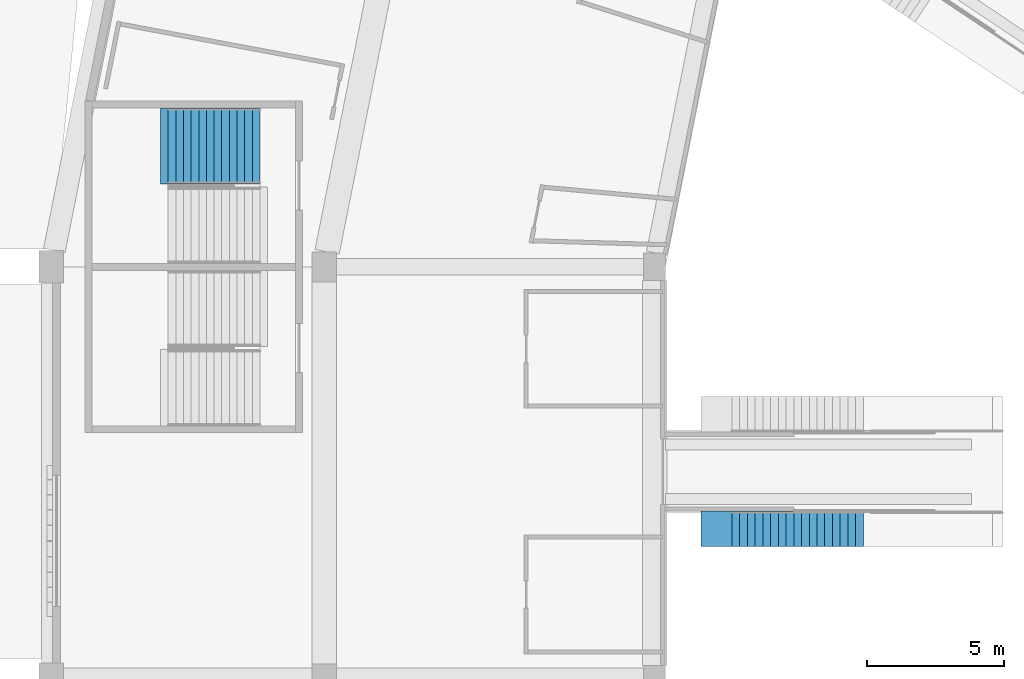
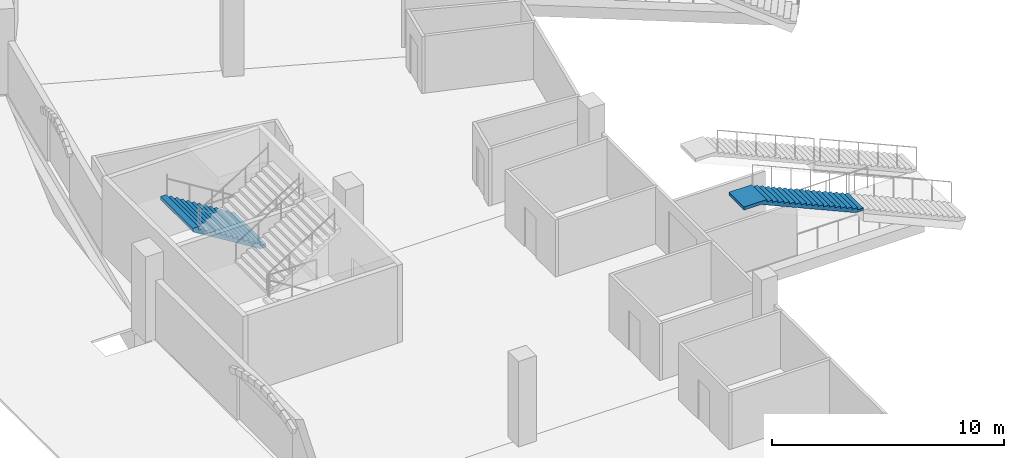
# One storey, part 112 of 175: 2 stair flights, 2 elements without a shape of their own.
"""IFC4 building model written with IfcOpenShell, lengths in metres."""

from ifc_helpers import new_model, si_unit, direction, frame, origin, place, context, subcontext, project, spatial, faceted_brep, material, type_object, element, aggregate, save


model = new_model("IFC4")

# Units and contexts
model_context = context("Model", 3, precision=1e-05, world=origin(), true_north=direction((0.0, 1.0)))
body_context = subcontext(model_context, "Body", "Model", "MODEL_VIEW")
ifc_project = project(units=[si_unit("LENGTHUNIT", "METRE"), si_unit("AREAUNIT", "SQUARE_METRE"), si_unit("VOLUMEUNIT", "CUBIC_METRE"), si_unit("PLANEANGLEUNIT", "RADIAN"), si_unit("MASSUNIT", "GRAM", prefix="KILO")], contexts=[model_context])

# Site, building, storey
site_placement = place(None, origin())
site = spatial("IfcSite", under=ifc_project, at=site_placement, CompositionType="ELEMENT")
building_placement = place(site_placement, origin())
building = spatial("IfcBuilding", under=site, at=building_placement, Name="Ogive Plaza Stadium", CompositionType="ELEMENT")
storey_placement = place(building_placement, origin())
storey = spatial("IfcBuildingStorey", under=building, at=storey_placement, Name="L00", CompositionType="ELEMENT", Elevation=0.0)

# Stair, stair flight
ifc_material_1 = material(Name="Concrete C40/50", Category="concrete")
stair_type_1 = type_object("IfcStairType", Name="Aisle stair", PredefinedType="STRAIGHT_RUN_STAIR", material=ifc_material_1)
stair_1_placement = place(storey_placement, origin())
stair_1 = element("IfcStair", 1, at=stair_1_placement, inside=storey, type_object=stair_type_1, Name="Aisle stair SA27R", PredefinedType="STRAIGHT_RUN_STAIR")
ifc_material_2 = material(Name="Concrete C40/50", Category="concrete")
stair_flight_type_1 = type_object("IfcStairFlightType", Name="Aisle stair flight", PredefinedType="STRAIGHT", material=ifc_material_2)
stair_flight_1_placement = place(storey_placement, frame((-54.25, 42.89990234375, 2.25), z_axis=(0.0, 0.0, 1.0), x_axis=(-1.0, 0.0, 0.0)))
stair_flight_1 = element("IfcStairFlight", 2, at=stair_flight_1_placement, type_object=stair_flight_type_1, Name="SA27R flight 2", NumberOfRisers=18, NumberOfTreads=17, PredefinedType="STRAIGHT", RiserHeight=0.125, TreadLength=0.283333333, context=body_context, shape_type="Brep", body=[
    faceted_brep([(0.371337890625, -0.64990234375, 0.0), (5.10009765625, -0.64990234375, 2.086181640625), (5.949951171875, -0.64990234375, 2.086181640625), (5.949951171875, -0.64990234375, 2.25), (4.816650390625, -0.64990234375, 2.25), (4.816650390625, -0.64990234375, 2.125), (4.533447265625, -0.64990234375, 2.125), (4.533447265625, -0.64990234375, 2.0), (4.25, -0.64990234375, 2.0), (4.25, -0.64990234375, 1.875), (3.966552734375, -0.64990234375, 1.875), (3.966552734375, -0.64990234375, 1.75), (3.683349609375, -0.64990234375, 1.75), (3.683349609375, -0.64990234375, 1.625), (3.39990234375, -0.64990234375, 1.625), (3.39990234375, -0.64990234375, 1.5), (3.11669921875, -0.64990234375, 1.5), (3.11669921875, -0.64990234375, 1.375), (2.833251953125, -0.64990234375, 1.375), (2.833251953125, -0.64990234375, 1.25), (2.550048828125, -0.64990234375, 1.25), (2.550048828125, -0.64990234375, 1.125), (2.2666015625, -0.64990234375, 1.125), (2.2666015625, -0.64990234375, 1.0), (1.9833984375, -0.64990234375, 1.0), (1.9833984375, -0.64990234375, 0.875), (1.699951171875, -0.64990234375, 0.875), (1.699951171875, -0.64990234375, 0.75), (1.416748046875, -0.64990234375, 0.75), (1.416748046875, -0.64990234375, 0.625), (1.13330078125, -0.64990234375, 0.625), (1.13330078125, -0.64990234375, 0.5), (0.85009765625, -0.64990234375, 0.5), (0.85009765625, -0.64990234375, 0.375), (0.566650390625, -0.64990234375, 0.375), (0.566650390625, -0.64990234375, 0.25), (0.283447265625, -0.64990234375, 0.25), (0.283447265625, -0.64990234375, 0.125), (0.0, -0.64990234375, 0.125), (0.0, -0.64990234375, 0.0), (0.0, 0.64990234375, 0.0), (0.0, 0.64990234375, 0.125), (0.283447265625, 0.64990234375, 0.125), (0.283447265625, 0.64990234375, 0.25), (0.566650390625, 0.64990234375, 0.25), (0.566650390625, 0.64990234375, 0.375), (0.85009765625, 0.64990234375, 0.375), (0.85009765625, 0.64990234375, 0.5), (1.13330078125, 0.64990234375, 0.5), (1.13330078125, 0.64990234375, 0.625), (1.416748046875, 0.64990234375, 0.625), (1.416748046875, 0.64990234375, 0.75), (1.699951171875, 0.64990234375, 0.75), (1.699951171875, 0.64990234375, 0.875), (1.9833984375, 0.64990234375, 0.875), (1.9833984375, 0.64990234375, 1.0), (2.2666015625, 0.64990234375, 1.0), (2.2666015625, 0.64990234375, 1.125), (2.550048828125, 0.64990234375, 1.125), (2.550048828125, 0.64990234375, 1.25), (2.833251953125, 0.64990234375, 1.25), (2.833251953125, 0.64990234375, 1.375), (3.11669921875, 0.64990234375, 1.375), (3.11669921875, 0.64990234375, 1.5), (3.39990234375, 0.64990234375, 1.5), (3.39990234375, 0.64990234375, 1.625), (3.683349609375, 0.64990234375, 1.625), (3.683349609375, 0.64990234375, 1.75), (3.966552734375, 0.64990234375, 1.75), (3.966552734375, 0.64990234375, 1.875), (4.25, 0.64990234375, 1.875), (4.25, 0.64990234375, 2.0), (4.533447265625, 0.64990234375, 2.0), (4.533447265625, 0.64990234375, 2.125), (4.816650390625, 0.64990234375, 2.125), (4.816650390625, 0.64990234375, 2.25), (5.949951171875, 0.64990234375, 2.25), (5.949951171875, 0.64990234375, 2.086181640625), (5.10009765625, 0.64990234375, 2.086181640625), (0.371337890625, 0.64990234375, 0.0), (0.371337890625, -0.324951171875, 0.0), (5.10009765625, -0.324951171875, 2.086181640625), (0.371337890625, 0.0, 0.0), (5.10009765625, 0.0, 2.086181640625), (0.371337890625, 0.324951171875, 0.0), (5.10009765625, 0.324951171875, 2.086181640625), (5.949951171875, -0.324951171875, 2.086181640625), (5.949951171875, 0.0, 2.086181640625), (5.949951171875, 0.324951171875, 2.086181640625), (5.949951171875, -0.324951171875, 2.25), (5.949951171875, 0.0, 2.25), (5.949951171875, 0.324951171875, 2.25), (4.816650390625, -0.324951171875, 2.25), (4.816650390625, 0.0, 2.25), (4.816650390625, 0.324951171875, 2.25), (4.816650390625, -0.324951171875, 2.125), (4.816650390625, 0.0, 2.125), (4.816650390625, 0.324951171875, 2.125), (4.533447265625, -0.324951171875, 2.125), (4.533447265625, 0.0, 2.125), (4.533447265625, 0.324951171875, 2.125), (4.533447265625, -0.324951171875, 2.0), (4.533447265625, 0.0, 2.0), (4.533447265625, 0.324951171875, 2.0), (4.25, -0.324951171875, 2.0), (4.25, 0.0, 2.0), (4.25, 0.324951171875, 2.0), (4.25, -0.324951171875, 1.875), (4.25, 0.0, 1.875), (4.25, 0.324951171875, 1.875), (3.966552734375, -0.324951171875, 1.875), (3.966552734375, 0.0, 1.875), (3.966552734375, 0.324951171875, 1.875), (3.966552734375, -0.324951171875, 1.75), (3.966552734375, 0.0, 1.75), (3.966552734375, 0.324951171875, 1.75), (3.683349609375, -0.324951171875, 1.75), (3.683349609375, 0.0, 1.75), (3.683349609375, 0.324951171875, 1.75), (3.683349609375, -0.324951171875, 1.625), (3.683349609375, 0.0, 1.625), (3.683349609375, 0.324951171875, 1.625), (3.39990234375, -0.324951171875, 1.625), (3.39990234375, 0.0, 1.625), (3.39990234375, 0.324951171875, 1.625), (3.39990234375, -0.324951171875, 1.5), (3.39990234375, 0.0, 1.5), (3.39990234375, 0.324951171875, 1.5), (3.11669921875, -0.324951171875, 1.5), (3.11669921875, 0.0, 1.5), (3.11669921875, 0.324951171875, 1.5), (3.11669921875, -0.324951171875, 1.375), (3.11669921875, 0.0, 1.375), (3.11669921875, 0.324951171875, 1.375), (2.833251953125, -0.324951171875, 1.375), (2.833251953125, 0.0, 1.375), (2.833251953125, 0.324951171875, 1.375), (2.833251953125, -0.324951171875, 1.25), (2.833251953125, 0.0, 1.25), (2.833251953125, 0.324951171875, 1.25), (2.550048828125, -0.324951171875, 1.25), (2.550048828125, 0.0, 1.25), (2.550048828125, 0.324951171875, 1.25), (2.550048828125, -0.324951171875, 1.125), (2.550048828125, 0.0, 1.125), (2.550048828125, 0.324951171875, 1.125), (2.2666015625, -0.324951171875, 1.125), (2.2666015625, 0.0, 1.125), (2.2666015625, 0.324951171875, 1.125), (2.2666015625, -0.324951171875, 1.0), (2.2666015625, 0.0, 1.0), (2.2666015625, 0.324951171875, 1.0), (1.9833984375, -0.324951171875, 1.0), (1.9833984375, 0.0, 1.0), (1.9833984375, 0.324951171875, 1.0), (1.9833984375, -0.324951171875, 0.875), (1.9833984375, 0.0, 0.875), (1.9833984375, 0.324951171875, 0.875), (1.699951171875, -0.324951171875, 0.875), (1.699951171875, 0.0, 0.875), (1.699951171875, 0.324951171875, 0.875), (1.699951171875, -0.324951171875, 0.75), (1.699951171875, 0.0, 0.75), (1.699951171875, 0.324951171875, 0.75), (1.416748046875, -0.324951171875, 0.75), (1.416748046875, 0.0, 0.75), (1.416748046875, 0.324951171875, 0.75), (1.416748046875, -0.324951171875, 0.625), (1.416748046875, 0.0, 0.625), (1.416748046875, 0.324951171875, 0.625), (1.13330078125, -0.324951171875, 0.625), (1.13330078125, 0.0, 0.625), (1.13330078125, 0.324951171875, 0.625), (1.13330078125, -0.324951171875, 0.5), (1.13330078125, 0.0, 0.5), (1.13330078125, 0.324951171875, 0.5), (0.85009765625, -0.324951171875, 0.5), (0.85009765625, 0.0, 0.5), (0.85009765625, 0.324951171875, 0.5), (0.85009765625, -0.324951171875, 0.375), (0.85009765625, 0.0, 0.375), (0.85009765625, 0.324951171875, 0.375), (0.566650390625, -0.324951171875, 0.375), (0.566650390625, 0.0, 0.375), (0.566650390625, 0.324951171875, 0.375), (0.566650390625, -0.324951171875, 0.25), (0.566650390625, 0.0, 0.25), (0.566650390625, 0.324951171875, 0.25), (0.283447265625, -0.324951171875, 0.25), (0.283447265625, 0.0, 0.25), (0.283447265625, 0.324951171875, 0.25), (0.283447265625, -0.324951171875, 0.125), (0.283447265625, 0.0, 0.125), (0.283447265625, 0.324951171875, 0.125), (0.0, -0.324951171875, 0.125), (0.0, 0.0, 0.125), (0.0, 0.324951171875, 0.125), (0.0, -0.324951171875, 0.0), (0.0, 0.0, 0.0), (0.0, 0.324951171875, 0.0)], [[[0, 1, 2, 3, 4, 5, 6, 7, 8, 9, 10, 11, 12, 13, 14, 15, 16, 17, 18, 19, 20, 21, 22, 23, 24, 25, 26, 27, 28, 29, 30, 31, 32, 33, 34, 35, 36, 37, 38, 39]], [[40, 41, 42, 43, 44, 45, 46, 47, 48, 49, 50, 51, 52, 53, 54, 55, 56, 57, 58, 59, 60, 61, 62, 63, 64, 65, 66, 67, 68, 69, 70, 71, 72, 73, 74, 75, 76, 77, 78, 79]], [[0, 80, 81, 1]], [[80, 82, 83, 81]], [[82, 84, 85, 83]], [[84, 79, 78, 85]], [[1, 81, 86, 2]], [[81, 83, 87, 86]], [[83, 85, 88, 87]], [[85, 78, 77, 88]], [[2, 86, 89, 3]], [[86, 87, 90, 89]], [[87, 88, 91, 90]], [[88, 77, 76, 91]], [[3, 89, 92, 4]], [[89, 90, 93, 92]], [[90, 91, 94, 93]], [[91, 76, 75, 94]], [[4, 92, 95, 5]], [[92, 93, 96, 95]], [[93, 94, 97, 96]], [[94, 75, 74, 97]], [[5, 95, 98, 6]], [[95, 96, 99, 98]], [[96, 97, 100, 99]], [[97, 74, 73, 100]], [[6, 98, 101, 7]], [[98, 99, 102, 101]], [[99, 100, 103, 102]], [[100, 73, 72, 103]], [[7, 101, 104, 8]], [[101, 102, 105, 104]], [[102, 103, 106, 105]], [[103, 72, 71, 106]], [[8, 104, 107, 9]], [[104, 105, 108, 107]], [[105, 106, 109, 108]], [[106, 71, 70, 109]], [[9, 107, 110, 10]], [[107, 108, 111, 110]], [[108, 109, 112, 111]], [[109, 70, 69, 112]], [[10, 110, 113, 11]], [[110, 111, 114, 113]], [[111, 112, 115, 114]], [[112, 69, 68, 115]], [[11, 113, 116, 12]], [[113, 114, 117, 116]], [[114, 115, 118, 117]], [[115, 68, 67, 118]], [[12, 116, 119, 13]], [[116, 117, 120, 119]], [[117, 118, 121, 120]], [[118, 67, 66, 121]], [[13, 119, 122, 14]], [[119, 120, 123, 122]], [[120, 121, 124, 123]], [[121, 66, 65, 124]], [[14, 122, 125, 15]], [[122, 123, 126, 125]], [[123, 124, 127, 126]], [[124, 65, 64, 127]], [[15, 125, 128, 16]], [[125, 126, 129, 128]], [[126, 127, 130, 129]], [[127, 64, 63, 130]], [[16, 128, 131, 17]], [[128, 129, 132, 131]], [[129, 130, 133, 132]], [[130, 63, 62, 133]], [[17, 131, 134, 18]], [[131, 132, 135, 134]], [[132, 133, 136, 135]], [[133, 62, 61, 136]], [[18, 134, 137, 19]], [[134, 135, 138, 137]], [[135, 136, 139, 138]], [[136, 61, 60, 139]], [[19, 137, 140, 20]], [[137, 138, 141, 140]], [[138, 139, 142, 141]], [[139, 60, 59, 142]], [[20, 140, 143, 21]], [[140, 141, 144, 143]], [[141, 142, 145, 144]], [[142, 59, 58, 145]], [[21, 143, 146, 22]], [[143, 144, 147, 146]], [[144, 145, 148, 147]], [[145, 58, 57, 148]], [[22, 146, 149, 23]], [[146, 147, 150, 149]], [[147, 148, 151, 150]], [[148, 57, 56, 151]], [[23, 149, 152, 24]], [[149, 150, 153, 152]], [[150, 151, 154, 153]], [[151, 56, 55, 154]], [[24, 152, 155, 25]], [[152, 153, 156, 155]], [[153, 154, 157, 156]], [[154, 55, 54, 157]], [[25, 155, 158, 26]], [[155, 156, 159, 158]], [[156, 157, 160, 159]], [[157, 54, 53, 160]], [[26, 158, 161, 27]], [[158, 159, 162, 161]], [[159, 160, 163, 162]], [[160, 53, 52, 163]], [[27, 161, 164, 28]], [[161, 162, 165, 164]], [[162, 163, 166, 165]], [[163, 52, 51, 166]], [[28, 164, 167, 29]], [[164, 165, 168, 167]], [[165, 166, 169, 168]], [[166, 51, 50, 169]], [[29, 167, 170, 30]], [[167, 168, 171, 170]], [[168, 169, 172, 171]], [[169, 50, 49, 172]], [[30, 170, 173, 31]], [[170, 171, 174, 173]], [[171, 172, 175, 174]], [[172, 49, 48, 175]], [[31, 173, 176, 32]], [[173, 174, 177, 176]], [[174, 175, 178, 177]], [[175, 48, 47, 178]], [[32, 176, 179, 33]], [[176, 177, 180, 179]], [[177, 178, 181, 180]], [[178, 47, 46, 181]], [[33, 179, 182, 34]], [[179, 180, 183, 182]], [[180, 181, 184, 183]], [[181, 46, 45, 184]], [[34, 182, 185, 35]], [[182, 183, 186, 185]], [[183, 184, 187, 186]], [[184, 45, 44, 187]], [[35, 185, 188, 36]], [[185, 186, 189, 188]], [[186, 187, 190, 189]], [[187, 44, 43, 190]], [[36, 188, 191, 37]], [[188, 189, 192, 191]], [[189, 190, 193, 192]], [[190, 43, 42, 193]], [[37, 191, 194, 38]], [[191, 192, 195, 194]], [[192, 193, 196, 195]], [[193, 42, 41, 196]], [[38, 194, 197, 39]], [[194, 195, 198, 197]], [[195, 196, 199, 198]], [[196, 41, 40, 199]], [[39, 197, 80, 0]], [[197, 198, 82, 80]], [[198, 199, 84, 82]], [[199, 40, 79, 84]]]),
])
aggregate(stair_1, [stair_flight_1])

ifc_material_3 = material(Name="Concrete C40/50", Category="concrete")
stair_type_2 = type_object("IfcStairType", Name="Exit stair", PredefinedType="STRAIGHT_RUN_STAIR", material=ifc_material_3)
stair_2_placement = place(storey_placement, origin())
stair_2 = element("IfcStair", 3, at=stair_2_placement, inside=storey, type_object=stair_type_2, Name="Exit stair ST28A L00 to L01", PredefinedType="STRAIGHT_RUN_STAIR")
ifc_material_4 = material(Name="Concrete C40/50", Category="concrete")
stair_flight_type_2 = type_object("IfcStairFlightType", Name="Exit stair flight", PredefinedType="STRAIGHT", material=ifc_material_4)
stair_flight_2_placement = place(storey_placement, frame((-76.35009765625, 56.925048828125, 0.0), z_axis=(0.0, 0.0, 1.0), x_axis=(-1.0, 0.0, 0.0)))
stair_flight_2 = element("IfcStairFlight", 4, at=stair_flight_2_placement, type_object=stair_flight_type_2, Name="ST28A flight 1", NumberOfRisers=13, NumberOfTreads=12, PredefinedType="STRAIGHT", RiserHeight=0.173076923, TreadLength=0.28, context=body_context, shape_type="Brep", body=[
    faceted_brep([(0.28515625, -1.39990234375, 0.0), (3.639892578125, -1.39990234375, 2.07373046875), (3.639892578125, -1.39990234375, 2.25), (3.360107421875, -1.39990234375, 2.25), (3.360107421875, -1.39990234375, 2.076904296875), (3.080078125, -1.39990234375, 2.076904296875), (3.080078125, -1.39990234375, 1.90380859375), (2.800048828125, -1.39990234375, 1.90380859375), (2.800048828125, -1.39990234375, 1.730712890625), (2.52001953125, -1.39990234375, 1.730712890625), (2.52001953125, -1.39990234375, 1.5576171875), (2.239990234375, -1.39990234375, 1.5576171875), (2.239990234375, -1.39990234375, 1.384521484375), (1.9599609375, -1.39990234375, 1.384521484375), (1.9599609375, -1.39990234375, 1.21142578125), (1.679931640625, -1.39990234375, 1.21142578125), (1.679931640625, -1.39990234375, 1.03857421875), (1.39990234375, -1.39990234375, 1.03857421875), (1.39990234375, -1.39990234375, 0.865478515625), (1.1201171875, -1.39990234375, 0.865478515625), (1.1201171875, -1.39990234375, 0.6923828125), (0.840087890625, -1.39990234375, 0.6923828125), (0.840087890625, -1.39990234375, 0.519287109375), (0.56005859375, -1.39990234375, 0.519287109375), (0.56005859375, -1.39990234375, 0.34619140625), (0.280029296875, -1.39990234375, 0.34619140625), (0.280029296875, -1.39990234375, 0.173095703125), (0.0, -1.39990234375, 0.173095703125), (0.0, -1.39990234375, 0.0), (0.0, 1.39990234375, 0.0), (0.0, 1.39990234375, 0.173095703125), (0.280029296875, 1.39990234375, 0.173095703125), (0.280029296875, 1.39990234375, 0.34619140625), (0.56005859375, 1.39990234375, 0.34619140625), (0.56005859375, 1.39990234375, 0.519287109375), (0.840087890625, 1.39990234375, 0.519287109375), (0.840087890625, 1.39990234375, 0.6923828125), (1.1201171875, 1.39990234375, 0.6923828125), (1.1201171875, 1.39990234375, 0.865478515625), (1.39990234375, 1.39990234375, 0.865478515625), (1.39990234375, 1.39990234375, 1.03857421875), (1.679931640625, 1.39990234375, 1.03857421875), (1.679931640625, 1.39990234375, 1.21142578125), (1.9599609375, 1.39990234375, 1.21142578125), (1.9599609375, 1.39990234375, 1.384521484375), (2.239990234375, 1.39990234375, 1.384521484375), (2.239990234375, 1.39990234375, 1.5576171875), (2.52001953125, 1.39990234375, 1.5576171875), (2.52001953125, 1.39990234375, 1.730712890625), (2.800048828125, 1.39990234375, 1.730712890625), (2.800048828125, 1.39990234375, 1.90380859375), (3.080078125, 1.39990234375, 1.90380859375), (3.080078125, 1.39990234375, 2.076904296875), (3.360107421875, 1.39990234375, 2.076904296875), (3.360107421875, 1.39990234375, 2.25), (3.639892578125, 1.39990234375, 2.25), (3.639892578125, 1.39990234375, 2.07373046875), (0.28515625, 1.39990234375, 0.0), (0.28515625, -1.0888671875, 0.0), (3.639892578125, -1.0888671875, 2.07373046875), (0.28515625, -0.77783203125, 0.0), (3.639892578125, -0.77783203125, 2.07373046875), (0.28515625, -0.466796875, 0.0), (3.639892578125, -0.466796875, 2.07373046875), (0.28515625, -0.155517578125, 0.0), (3.639892578125, -0.155517578125, 2.07373046875), (0.28515625, 0.155517578125, 0.0), (3.639892578125, 0.155517578125, 2.07373046875), (0.28515625, 0.466796875, 0.0), (3.639892578125, 0.466796875, 2.07373046875), (0.28515625, 0.77783203125, 0.0), (3.639892578125, 0.77783203125, 2.07373046875), (0.28515625, 1.0888671875, 0.0), (3.639892578125, 1.0888671875, 2.07373046875), (3.639892578125, -1.0888671875, 2.25), (3.639892578125, -0.77783203125, 2.25), (3.639892578125, -0.466796875, 2.25), (3.639892578125, -0.155517578125, 2.25), (3.639892578125, 0.155517578125, 2.25), (3.639892578125, 0.466796875, 2.25), (3.639892578125, 0.77783203125, 2.25), (3.639892578125, 1.0888671875, 2.25), (3.360107421875, -1.0888671875, 2.25), (3.360107421875, -0.77783203125, 2.25), (3.360107421875, -0.466796875, 2.25), (3.360107421875, -0.155517578125, 2.25), (3.360107421875, 0.155517578125, 2.25), (3.360107421875, 0.466796875, 2.25), (3.360107421875, 0.77783203125, 2.25), (3.360107421875, 1.0888671875, 2.25), (3.360107421875, -1.0888671875, 2.076904296875), (3.360107421875, -0.77783203125, 2.076904296875), (3.360107421875, -0.466796875, 2.076904296875), (3.360107421875, -0.155517578125, 2.076904296875), (3.360107421875, 0.155517578125, 2.076904296875), (3.360107421875, 0.466796875, 2.076904296875), (3.360107421875, 0.77783203125, 2.076904296875), (3.360107421875, 1.0888671875, 2.076904296875), (3.080078125, -1.0888671875, 2.076904296875), (3.080078125, -0.77783203125, 2.076904296875), (3.080078125, -0.466796875, 2.076904296875), (3.080078125, -0.155517578125, 2.076904296875), (3.080078125, 0.155517578125, 2.076904296875), (3.080078125, 0.466796875, 2.076904296875), (3.080078125, 0.77783203125, 2.076904296875), (3.080078125, 1.0888671875, 2.076904296875), (3.080078125, -1.0888671875, 1.90380859375), (3.080078125, -0.77783203125, 1.90380859375), (3.080078125, -0.466796875, 1.90380859375), (3.080078125, -0.155517578125, 1.90380859375), (3.080078125, 0.155517578125, 1.90380859375), (3.080078125, 0.466796875, 1.90380859375), (3.080078125, 0.77783203125, 1.90380859375), (3.080078125, 1.0888671875, 1.90380859375), (2.800048828125, -1.0888671875, 1.90380859375), (2.800048828125, -0.77783203125, 1.90380859375), (2.800048828125, -0.466796875, 1.90380859375), (2.800048828125, -0.155517578125, 1.90380859375), (2.800048828125, 0.155517578125, 1.90380859375), (2.800048828125, 0.466796875, 1.90380859375), (2.800048828125, 0.77783203125, 1.90380859375), (2.800048828125, 1.0888671875, 1.90380859375), (2.800048828125, -1.0888671875, 1.730712890625), (2.800048828125, -0.77783203125, 1.730712890625), (2.800048828125, -0.466796875, 1.730712890625), (2.800048828125, -0.155517578125, 1.730712890625), (2.800048828125, 0.155517578125, 1.730712890625), (2.800048828125, 0.466796875, 1.730712890625), (2.800048828125, 0.77783203125, 1.730712890625), (2.800048828125, 1.0888671875, 1.730712890625), (2.52001953125, -1.0888671875, 1.730712890625), (2.52001953125, -0.77783203125, 1.730712890625), (2.52001953125, -0.466796875, 1.730712890625), (2.52001953125, -0.155517578125, 1.730712890625), (2.52001953125, 0.155517578125, 1.730712890625), (2.52001953125, 0.466796875, 1.730712890625), (2.52001953125, 0.77783203125, 1.730712890625), (2.52001953125, 1.0888671875, 1.730712890625), (2.52001953125, -1.0888671875, 1.5576171875), (2.52001953125, -0.77783203125, 1.5576171875), (2.52001953125, -0.466796875, 1.5576171875), (2.52001953125, -0.155517578125, 1.5576171875), (2.52001953125, 0.155517578125, 1.5576171875), (2.52001953125, 0.466796875, 1.5576171875), (2.52001953125, 0.77783203125, 1.5576171875), (2.52001953125, 1.0888671875, 1.5576171875), (2.239990234375, -1.0888671875, 1.5576171875), (2.239990234375, -0.77783203125, 1.5576171875), (2.239990234375, -0.466796875, 1.5576171875), (2.239990234375, -0.155517578125, 1.5576171875), (2.239990234375, 0.155517578125, 1.5576171875), (2.239990234375, 0.466796875, 1.5576171875), (2.239990234375, 0.77783203125, 1.5576171875), (2.239990234375, 1.0888671875, 1.5576171875), (2.239990234375, -1.0888671875, 1.384521484375), (2.239990234375, -0.77783203125, 1.384521484375), (2.239990234375, -0.466796875, 1.384521484375), (2.239990234375, -0.155517578125, 1.384521484375), (2.239990234375, 0.155517578125, 1.384521484375), (2.239990234375, 0.466796875, 1.384521484375), (2.239990234375, 0.77783203125, 1.384521484375), (2.239990234375, 1.0888671875, 1.384521484375), (1.9599609375, -1.0888671875, 1.384521484375), (1.9599609375, -0.77783203125, 1.384521484375), (1.9599609375, -0.466796875, 1.384521484375), (1.9599609375, -0.155517578125, 1.384521484375), (1.9599609375, 0.155517578125, 1.384521484375), (1.9599609375, 0.466796875, 1.384521484375), (1.9599609375, 0.77783203125, 1.384521484375), (1.9599609375, 1.0888671875, 1.384521484375), (1.9599609375, -1.0888671875, 1.21142578125), (1.9599609375, -0.77783203125, 1.21142578125), (1.9599609375, -0.466796875, 1.21142578125), (1.9599609375, -0.155517578125, 1.21142578125), (1.9599609375, 0.155517578125, 1.21142578125), (1.9599609375, 0.466796875, 1.21142578125), (1.9599609375, 0.77783203125, 1.21142578125), (1.9599609375, 1.0888671875, 1.21142578125), (1.679931640625, -1.0888671875, 1.21142578125), (1.679931640625, -0.77783203125, 1.21142578125), (1.679931640625, -0.466796875, 1.21142578125), (1.679931640625, -0.155517578125, 1.21142578125), (1.679931640625, 0.155517578125, 1.21142578125), (1.679931640625, 0.466796875, 1.21142578125), (1.679931640625, 0.77783203125, 1.21142578125), (1.679931640625, 1.0888671875, 1.21142578125), (1.679931640625, -1.0888671875, 1.03857421875), (1.679931640625, -0.77783203125, 1.03857421875), (1.679931640625, -0.466796875, 1.03857421875), (1.679931640625, -0.155517578125, 1.03857421875), (1.679931640625, 0.155517578125, 1.03857421875), (1.679931640625, 0.466796875, 1.03857421875), (1.679931640625, 0.77783203125, 1.03857421875), (1.679931640625, 1.0888671875, 1.03857421875), (1.39990234375, -1.0888671875, 1.03857421875), (1.39990234375, -0.77783203125, 1.03857421875), (1.39990234375, -0.466796875, 1.03857421875), (1.39990234375, -0.155517578125, 1.03857421875), (1.39990234375, 0.155517578125, 1.03857421875), (1.39990234375, 0.466796875, 1.03857421875), (1.39990234375, 0.77783203125, 1.03857421875), (1.39990234375, 1.0888671875, 1.03857421875), (1.39990234375, -1.0888671875, 0.865478515625), (1.39990234375, -0.77783203125, 0.865478515625), (1.39990234375, -0.466796875, 0.865478515625), (1.39990234375, -0.155517578125, 0.865478515625), (1.39990234375, 0.155517578125, 0.865478515625), (1.39990234375, 0.466796875, 0.865478515625), (1.39990234375, 0.77783203125, 0.865478515625), (1.39990234375, 1.0888671875, 0.865478515625), (1.1201171875, -1.0888671875, 0.865478515625), (1.1201171875, -0.77783203125, 0.865478515625), (1.1201171875, -0.466796875, 0.865478515625), (1.1201171875, -0.155517578125, 0.865478515625), (1.1201171875, 0.155517578125, 0.865478515625), (1.1201171875, 0.466796875, 0.865478515625), (1.1201171875, 0.77783203125, 0.865478515625), (1.1201171875, 1.0888671875, 0.865478515625), (1.1201171875, -1.0888671875, 0.6923828125), (1.1201171875, -0.77783203125, 0.6923828125), (1.1201171875, -0.466796875, 0.6923828125), (1.1201171875, -0.155517578125, 0.6923828125), (1.1201171875, 0.155517578125, 0.6923828125), (1.1201171875, 0.466796875, 0.6923828125), (1.1201171875, 0.77783203125, 0.6923828125), (1.1201171875, 1.0888671875, 0.6923828125), (0.840087890625, -1.0888671875, 0.6923828125), (0.840087890625, -0.77783203125, 0.6923828125), (0.840087890625, -0.466796875, 0.6923828125), (0.840087890625, -0.155517578125, 0.6923828125), (0.840087890625, 0.155517578125, 0.6923828125), (0.840087890625, 0.466796875, 0.6923828125), (0.840087890625, 0.77783203125, 0.6923828125), (0.840087890625, 1.0888671875, 0.6923828125), (0.840087890625, -1.0888671875, 0.519287109375), (0.840087890625, -0.77783203125, 0.519287109375), (0.840087890625, -0.466796875, 0.519287109375), (0.840087890625, -0.155517578125, 0.519287109375), (0.840087890625, 0.155517578125, 0.519287109375), (0.840087890625, 0.466796875, 0.519287109375), (0.840087890625, 0.77783203125, 0.519287109375), (0.840087890625, 1.0888671875, 0.519287109375), (0.56005859375, -1.0888671875, 0.519287109375), (0.56005859375, -0.77783203125, 0.519287109375), (0.56005859375, -0.466796875, 0.519287109375), (0.56005859375, -0.155517578125, 0.519287109375), (0.56005859375, 0.155517578125, 0.519287109375), (0.56005859375, 0.466796875, 0.519287109375), (0.56005859375, 0.77783203125, 0.519287109375), (0.56005859375, 1.0888671875, 0.519287109375), (0.56005859375, -1.0888671875, 0.34619140625), (0.56005859375, -0.77783203125, 0.34619140625), (0.56005859375, -0.466796875, 0.34619140625), (0.56005859375, -0.155517578125, 0.34619140625), (0.56005859375, 0.155517578125, 0.34619140625), (0.56005859375, 0.466796875, 0.34619140625), (0.56005859375, 0.77783203125, 0.34619140625), (0.56005859375, 1.0888671875, 0.34619140625), (0.280029296875, -1.0888671875, 0.34619140625), (0.280029296875, -0.77783203125, 0.34619140625), (0.280029296875, -0.466796875, 0.34619140625), (0.280029296875, -0.155517578125, 0.34619140625), (0.280029296875, 0.155517578125, 0.34619140625), (0.280029296875, 0.466796875, 0.34619140625), (0.280029296875, 0.77783203125, 0.34619140625), (0.280029296875, 1.0888671875, 0.34619140625), (0.280029296875, -1.0888671875, 0.173095703125), (0.280029296875, -0.77783203125, 0.173095703125), (0.280029296875, -0.466796875, 0.173095703125), (0.280029296875, -0.155517578125, 0.173095703125), (0.280029296875, 0.155517578125, 0.173095703125), (0.280029296875, 0.466796875, 0.173095703125), (0.280029296875, 0.77783203125, 0.173095703125), (0.280029296875, 1.0888671875, 0.173095703125), (0.0, -1.0888671875, 0.173095703125), (0.0, -0.77783203125, 0.173095703125), (0.0, -0.466796875, 0.173095703125), (0.0, -0.155517578125, 0.173095703125), (0.0, 0.155517578125, 0.173095703125), (0.0, 0.466796875, 0.173095703125), (0.0, 0.77783203125, 0.173095703125), (0.0, 1.0888671875, 0.173095703125), (0.0, -1.0888671875, 0.0), (0.0, -0.77783203125, 0.0), (0.0, -0.466796875, 0.0), (0.0, -0.155517578125, 0.0), (0.0, 0.155517578125, 0.0), (0.0, 0.466796875, 0.0), (0.0, 0.77783203125, 0.0), (0.0, 1.0888671875, 0.0)], [[[0, 1, 2, 3, 4, 5, 6, 7, 8, 9, 10, 11, 12, 13, 14, 15, 16, 17, 18, 19, 20, 21, 22, 23, 24, 25, 26, 27, 28]], [[29, 30, 31, 32, 33, 34, 35, 36, 37, 38, 39, 40, 41, 42, 43, 44, 45, 46, 47, 48, 49, 50, 51, 52, 53, 54, 55, 56, 57]], [[0, 58, 59, 1]], [[58, 60, 61, 59]], [[60, 62, 63, 61]], [[62, 64, 65, 63]], [[64, 66, 67, 65]], [[66, 68, 69, 67]], [[68, 70, 71, 69]], [[70, 72, 73, 71]], [[72, 57, 56, 73]], [[1, 59, 74, 2]], [[59, 61, 75, 74]], [[61, 63, 76, 75]], [[63, 65, 77, 76]], [[65, 67, 78, 77]], [[67, 69, 79, 78]], [[69, 71, 80, 79]], [[71, 73, 81, 80]], [[73, 56, 55, 81]], [[2, 74, 82, 3]], [[74, 75, 83, 82]], [[75, 76, 84, 83]], [[76, 77, 85, 84]], [[77, 78, 86, 85]], [[78, 79, 87, 86]], [[79, 80, 88, 87]], [[80, 81, 89, 88]], [[81, 55, 54, 89]], [[3, 82, 90, 4]], [[82, 83, 91, 90]], [[83, 84, 92, 91]], [[84, 85, 93, 92]], [[85, 86, 94, 93]], [[86, 87, 95, 94]], [[87, 88, 96, 95]], [[88, 89, 97, 96]], [[89, 54, 53, 97]], [[4, 90, 98, 5]], [[90, 91, 99, 98]], [[91, 92, 100, 99]], [[92, 93, 101, 100]], [[93, 94, 102, 101]], [[94, 95, 103, 102]], [[95, 96, 104, 103]], [[96, 97, 105, 104]], [[97, 53, 52, 105]], [[5, 98, 106, 6]], [[98, 99, 107, 106]], [[99, 100, 108, 107]], [[100, 101, 109, 108]], [[101, 102, 110, 109]], [[102, 103, 111, 110]], [[103, 104, 112, 111]], [[104, 105, 113, 112]], [[105, 52, 51, 113]], [[6, 106, 114, 7]], [[106, 107, 115, 114]], [[107, 108, 116, 115]], [[108, 109, 117, 116]], [[109, 110, 118, 117]], [[110, 111, 119, 118]], [[111, 112, 120, 119]], [[112, 113, 121, 120]], [[113, 51, 50, 121]], [[7, 114, 122, 8]], [[114, 115, 123, 122]], [[115, 116, 124, 123]], [[116, 117, 125, 124]], [[117, 118, 126, 125]], [[118, 119, 127, 126]], [[119, 120, 128, 127]], [[120, 121, 129, 128]], [[121, 50, 49, 129]], [[8, 122, 130, 9]], [[122, 123, 131, 130]], [[123, 124, 132, 131]], [[124, 125, 133, 132]], [[125, 126, 134, 133]], [[126, 127, 135, 134]], [[127, 128, 136, 135]], [[128, 129, 137, 136]], [[129, 49, 48, 137]], [[9, 130, 138, 10]], [[130, 131, 139, 138]], [[131, 132, 140, 139]], [[132, 133, 141, 140]], [[133, 134, 142, 141]], [[134, 135, 143, 142]], [[135, 136, 144, 143]], [[136, 137, 145, 144]], [[137, 48, 47, 145]], [[10, 138, 146, 11]], [[138, 139, 147, 146]], [[139, 140, 148, 147]], [[140, 141, 149, 148]], [[141, 142, 150, 149]], [[142, 143, 151, 150]], [[143, 144, 152, 151]], [[144, 145, 153, 152]], [[145, 47, 46, 153]], [[11, 146, 154, 12]], [[146, 147, 155, 154]], [[147, 148, 156, 155]], [[148, 149, 157, 156]], [[149, 150, 158, 157]], [[150, 151, 159, 158]], [[151, 152, 160, 159]], [[152, 153, 161, 160]], [[153, 46, 45, 161]], [[12, 154, 162, 13]], [[154, 155, 163, 162]], [[155, 156, 164, 163]], [[156, 157, 165, 164]], [[157, 158, 166, 165]], [[158, 159, 167, 166]], [[159, 160, 168, 167]], [[160, 161, 169, 168]], [[161, 45, 44, 169]], [[13, 162, 170, 14]], [[162, 163, 171, 170]], [[163, 164, 172, 171]], [[164, 165, 173, 172]], [[165, 166, 174, 173]], [[166, 167, 175, 174]], [[167, 168, 176, 175]], [[168, 169, 177, 176]], [[169, 44, 43, 177]], [[14, 170, 178, 15]], [[170, 171, 179, 178]], [[171, 172, 180, 179]], [[172, 173, 181, 180]], [[173, 174, 182, 181]], [[174, 175, 183, 182]], [[175, 176, 184, 183]], [[176, 177, 185, 184]], [[177, 43, 42, 185]], [[15, 178, 186, 16]], [[178, 179, 187, 186]], [[179, 180, 188, 187]], [[180, 181, 189, 188]], [[181, 182, 190, 189]], [[182, 183, 191, 190]], [[183, 184, 192, 191]], [[184, 185, 193, 192]], [[185, 42, 41, 193]], [[16, 186, 194, 17]], [[186, 187, 195, 194]], [[187, 188, 196, 195]], [[188, 189, 197, 196]], [[189, 190, 198, 197]], [[190, 191, 199, 198]], [[191, 192, 200, 199]], [[192, 193, 201, 200]], [[193, 41, 40, 201]], [[17, 194, 202, 18]], [[194, 195, 203, 202]], [[195, 196, 204, 203]], [[196, 197, 205, 204]], [[197, 198, 206, 205]], [[198, 199, 207, 206]], [[199, 200, 208, 207]], [[200, 201, 209, 208]], [[201, 40, 39, 209]], [[18, 202, 210, 19]], [[202, 203, 211, 210]], [[203, 204, 212, 211]], [[204, 205, 213, 212]], [[205, 206, 214, 213]], [[206, 207, 215, 214]], [[207, 208, 216, 215]], [[208, 209, 217, 216]], [[209, 39, 38, 217]], [[19, 210, 218, 20]], [[210, 211, 219, 218]], [[211, 212, 220, 219]], [[212, 213, 221, 220]], [[213, 214, 222, 221]], [[214, 215, 223, 222]], [[215, 216, 224, 223]], [[216, 217, 225, 224]], [[217, 38, 37, 225]], [[20, 218, 226, 21]], [[218, 219, 227, 226]], [[219, 220, 228, 227]], [[220, 221, 229, 228]], [[221, 222, 230, 229]], [[222, 223, 231, 230]], [[223, 224, 232, 231]], [[224, 225, 233, 232]], [[225, 37, 36, 233]], [[21, 226, 234, 22]], [[226, 227, 235, 234]], [[227, 228, 236, 235]], [[228, 229, 237, 236]], [[229, 230, 238, 237]], [[230, 231, 239, 238]], [[231, 232, 240, 239]], [[232, 233, 241, 240]], [[233, 36, 35, 241]], [[22, 234, 242, 23]], [[234, 235, 243, 242]], [[235, 236, 244, 243]], [[236, 237, 245, 244]], [[237, 238, 246, 245]], [[238, 239, 247, 246]], [[239, 240, 248, 247]], [[240, 241, 249, 248]], [[241, 35, 34, 249]], [[23, 242, 250, 24]], [[242, 243, 251, 250]], [[243, 244, 252, 251]], [[244, 245, 253, 252]], [[245, 246, 254, 253]], [[246, 247, 255, 254]], [[247, 248, 256, 255]], [[248, 249, 257, 256]], [[249, 34, 33, 257]], [[24, 250, 258, 25]], [[250, 251, 259, 258]], [[251, 252, 260, 259]], [[252, 253, 261, 260]], [[253, 254, 262, 261]], [[254, 255, 263, 262]], [[255, 256, 264, 263]], [[256, 257, 265, 264]], [[257, 33, 32, 265]], [[25, 258, 266, 26]], [[258, 259, 267, 266]], [[259, 260, 268, 267]], [[260, 261, 269, 268]], [[261, 262, 270, 269]], [[262, 263, 271, 270]], [[263, 264, 272, 271]], [[264, 265, 273, 272]], [[265, 32, 31, 273]], [[26, 266, 274, 27]], [[266, 267, 275, 274]], [[267, 268, 276, 275]], [[268, 269, 277, 276]], [[269, 270, 278, 277]], [[270, 271, 279, 278]], [[271, 272, 280, 279]], [[272, 273, 281, 280]], [[273, 31, 30, 281]], [[27, 274, 282, 28]], [[274, 275, 283, 282]], [[275, 276, 284, 283]], [[276, 277, 285, 284]], [[277, 278, 286, 285]], [[278, 279, 287, 286]], [[279, 280, 288, 287]], [[280, 281, 289, 288]], [[281, 30, 29, 289]], [[28, 282, 58, 0]], [[282, 283, 60, 58]], [[283, 284, 62, 60]], [[284, 285, 64, 62]], [[285, 286, 66, 64]], [[286, 287, 68, 66]], [[287, 288, 70, 68]], [[288, 289, 72, 70]], [[289, 29, 57, 72]]]),
])
aggregate(stair_2, [stair_flight_2])

save(model, "model.ifc")
